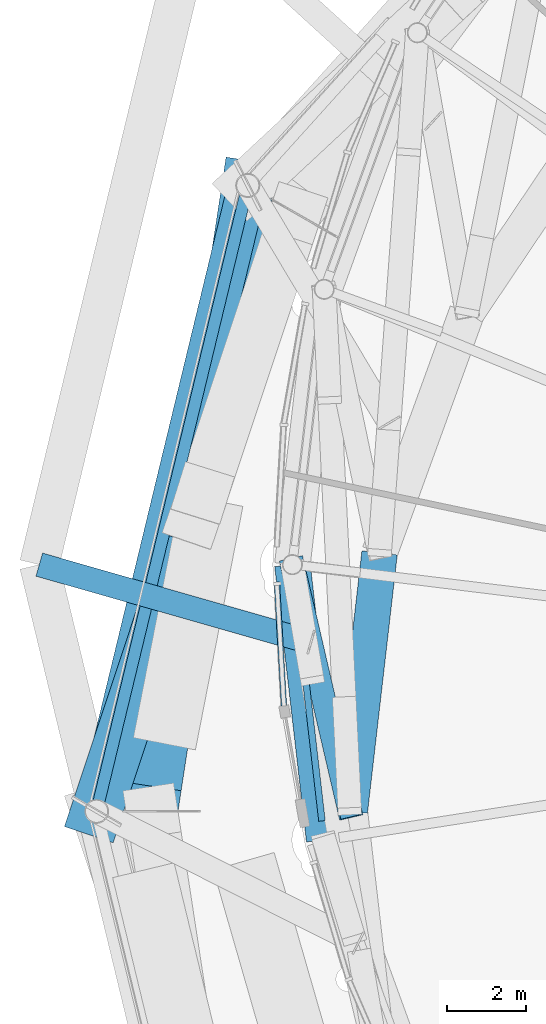
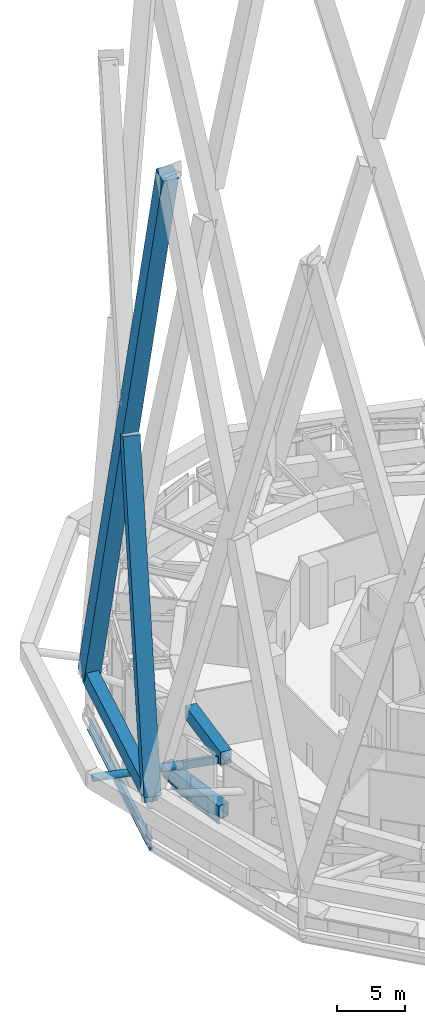
# One storey, part 14 of 48: 5 beams, 5 members, 1 element without a shape of its own.
"""IFC4 building model written with IfcOpenShell, lengths in metres."""

from ifc_helpers import new_model, si_unit, direction, frame, origin, origin_2d, place, context, subcontext, project, spatial, rectangle, hollow_rectangle, hollow_circle, i_section, extrude, material, layer, layer_set, material_profile, profile_set, type_object, element, aggregate, save


model = new_model("IFC4")

# Units and contexts
model_context = context("Model", 3, precision=1e-05, world=origin(), true_north=direction((0.0, 1.0)))
body_context = subcontext(model_context, "Body", "Model", "MODEL_VIEW")
ifc_project = project(units=[si_unit("LENGTHUNIT", "METRE"), si_unit("AREAUNIT", "SQUARE_METRE"), si_unit("VOLUMEUNIT", "CUBIC_METRE"), si_unit("PLANEANGLEUNIT", "RADIAN"), si_unit("MASSUNIT", "GRAM", prefix="KILO")], contexts=[model_context])

# Site, building, storey
site_placement = place(None, origin())
site = spatial("IfcSite", under=ifc_project, at=site_placement, CompositionType="ELEMENT")
building_placement = place(site_placement, origin())
building = spatial("IfcBuilding", under=site, at=building_placement, Name="Nagisa Residences", CompositionType="ELEMENT")
storey_placement = place(building_placement, frame((0.0, 0.0, 252.89990234375)))
storey = spatial("IfcBuildingStorey", under=building, at=storey_placement, Name="L64", CompositionType="ELEMENT", Elevation=252.89990234375)

# Beams
ifc_material_1 = material(Name="Steel ASTM A572 Gr 50", Category="steel")
ifc_material_profile_1 = material_profile(ifc_material_1, hollow_rectangle(XDim=0.89990234375, YDim=1.199951171875, WallThickness=0.0400390625, at=origin_2d()), Name="BX 900x1200x40")
ifc_profile_set_1 = profile_set([ifc_material_profile_1], Name="Steel ASTM A572 Gr 50")
beam_type_1 = type_object("IfcBeamType", Name="Belt chord 5 BX 900x1200x40", PredefinedType="BEAM", material=ifc_profile_set_1)
beam_1_placement = place(storey_placement, frame((-23.166259765625, 3.414794921875, 4.739990234375), z_axis=(-0.114611425134, -0.993410399195, 0.0), x_axis=(0.993410399195, -0.114611425134, 0.0)))
element("IfcBeam", 1, at=beam_1_placement, inside=storey, type_object=beam_type_1, Name="beam:L64:bt5t12", PredefinedType="BEAM", context=body_context, shape_type="SweptSolid", body=[
    extrude(hollow_rectangle(XDim=0.89990234375, YDim=1.199951171875, WallThickness=0.0400390625, at=origin_2d()), origin(), (0.0, 0.0, 1.0), 6.57568359375),
])
beam_2_placement = place(storey_placement, frame((-25.3701171875, 3.11767578125, 0.60009765625), z_axis=(0.114649239058, -0.99340603581, 0.0), x_axis=(0.99340603581, 0.114649239058, 0.0)))
element("IfcBeam", 2, at=beam_2_placement, inside=storey, type_object=beam_type_1, Name="beam:L64:bt5b13", PredefinedType="BEAM", context=body_context, shape_type="SweptSolid", body=[
    extrude(hollow_rectangle(XDim=0.89990234375, YDim=1.199951171875, WallThickness=0.0400390625, at=origin_2d()), origin(), (0.0, 0.0, 1.0), 7.005859375),
])
ifc_material_2 = material(Name="Steel ASTM A572 Gr 50", Category="steel")
ifc_material_profile_2 = material_profile(ifc_material_2, hollow_rectangle(XDim=0.60009765625, YDim=0.60009765625, WallThickness=0.034912109375, at=origin_2d()), Name="BX 600x600x35")
ifc_profile_set_2 = profile_set([ifc_material_profile_2], Name="Steel ASTM A572 Gr 50")
beam_type_2 = type_object("IfcBeamType", Name="Belt diagonal 5 BX 600x600x35", PredefinedType="BEAM", material=ifc_profile_set_2)
beam_3_placement = place(storey_placement, frame((-25.3701171875, 3.11767578125, 0.60009765625), z_axis=(0.190221024109, -0.817886356184, 0.54302658347), x_axis=(0.974004113459, 0.226530322394, 0.0)))
element("IfcBeam", 3, at=beam_3_placement, inside=storey, type_object=beam_type_2, Name="beam:L64:bt5da13", PredefinedType="BEAM", context=body_context, shape_type="SweptSolid", body=[
    extrude(hollow_rectangle(XDim=0.60009765625, YDim=0.60009765625, WallThickness=0.034912109375, at=origin_2d()), origin(), (0.0, 0.0, 1.0), 7.623779296875),
])

# Curtain wall, member
ifc_material_3 = material(Name="Aluminium curtain wall system", Category="aluminium")
ifc_layer = layer(ifc_material_3, 0.159912109375)
ifc_layer_set = layer_set([ifc_layer], Name="CW2 CURTAIN WALL")
curtain_wall_type = type_object("IfcCurtainWallType", Name="CW2 CURTAIN WALL", PredefinedType="NOTDEFINED", material=ifc_layer_set)
curtain_wall_placement = place(storey_placement, origin())
curtain_wall = element("IfcCurtainWall", 4, at=curtain_wall_placement, inside=storey, type_object=curtain_wall_type, Name="cw:CW2:L64:24", PredefinedType="NOTDEFINED")
ifc_material_4 = material(Name="Aluminium", Category="aluminium")
ifc_material_profile_3 = material_profile(ifc_material_4, rectangle(XDim=0.139892578125, YDim=0.179931640625, at=origin_2d()), Name="CW2 TRANSOM 140x180")
ifc_profile_set_3 = profile_set([ifc_material_profile_3], Name="Aluminium")
member_type_1 = type_object("IfcMemberType", Name="CW2 TRANSOM 140x180", PredefinedType="USERDEFINED", material=ifc_profile_set_3)
member_1_placement = place(storey_placement, frame((-25.76416015625, 2.673095703125, 0.090087890625), z_axis=(0.057465020502, -0.998347520365, 0.0), x_axis=(0.998347520365, 0.057465020502, 0.0)))
member_1 = element("IfcMember", 5, at=member_1_placement, type_object=member_type_1, Name="CW2 transom", ObjectType="TRANSOM", PredefinedType="USERDEFINED", context=body_context, shape_type="SweptSolid", body=[
    extrude(rectangle(XDim=0.139892578125, YDim=0.179931640625, at=origin_2d()), origin(), (0.0, 0.0, 1.0), 3.131103515625),
])
aggregate(curtain_wall, [member_1])

# Members
ifc_material_5 = material(Name="Concrete C80", Category="concrete")
ifc_material_profile_4 = material_profile(ifc_material_5, rectangle(XDim=1.300048828125, YDim=1.300048828125, at=origin_2d()), Name="C80 1300x1300")
ifc_profile_set_4 = profile_set([ifc_material_profile_4], Name="Concrete C80")
member_type_2 = type_object("IfcMemberType", Name="Cage diagonal 6 C80 1300x1300", PredefinedType="BRACE", material=ifc_profile_set_4)
member_2_placement = place(storey_placement, frame((-26.4990234375, 12.702392578125, 3.7001953125), z_axis=(-0.041842501274, -0.273432053256, 0.960980810079), x_axis=(0.988493066519, -0.151266180768, 0.0)))
element("IfcMember", 6, at=member_2_placement, inside=storey, type_object=member_type_2, Name="mem:L64:cg6d011", PredefinedType="BRACE", context=body_context, shape_type="SweptSolid", body=[
    extrude(rectangle(XDim=1.300048828125, YDim=1.300048828125, at=origin_2d()), origin(), (0.0, 0.0, 1.0), 57.857421875),
])
member_3_placement = place(storey_placement, frame((-30.320068359375, -3.11767578125, 3.7001953125), z_axis=(0.087023576186, 0.261414967389, 0.96129553833), x_axis=(-0.948808165822, 0.315852915881, 0.0)))
element("IfcMember", 7, at=member_3_placement, inside=storey, type_object=member_type_2, Name="mem:L64:cg6d012a", PredefinedType="BRACE", context=body_context, shape_type="SweptSolid", body=[
    extrude(rectangle(XDim=1.300048828125, YDim=1.300048828125, at=origin_2d()), origin(), (0.0, 0.0, 1.0), 28.36865234375),
])
ifc_material_6 = material(Name="Concrete C80", Category="concrete")
ifc_material_profile_5 = material_profile(ifc_material_6, rectangle(XDim=1.0, YDim=1.39990234375, at=origin_2d()), Name="C80 1000x1400")
ifc_profile_set_5 = profile_set([ifc_material_profile_5], Name="Concrete C80")
member_type_3 = type_object("IfcMemberType", Name="Cage ring 6 C80 1000x1400", PredefinedType="CHORD", material=ifc_profile_set_5)
member_4_placement = place(storey_placement, frame((-26.4990234375, 12.702392578125, 3.7001953125), z_axis=(-0.23478032632, -0.972048454745, 0.0), x_axis=(0.972048454745, -0.23478032632, 0.0)))
element("IfcMember", 8, at=member_4_placement, inside=storey, type_object=member_type_3, Name="beam:L64:cg6r006", PredefinedType="CHORD", context=body_context, shape_type="SweptSolid", body=[
    extrude(rectangle(XDim=1.0, YDim=1.39990234375, at=origin_2d()), origin(), (0.0, 0.0, 1.0), 16.27490234375),
])
ifc_material_7 = material(Name="Steel ASTM A572 Gr 65", Category="steel")
ifc_material_profile_6 = material_profile(ifc_material_7, hollow_circle(Radius=0.304931640625, WallThickness=0.02490234375, at=origin_2d()), Name="CHS 610x25")
ifc_profile_set_6 = profile_set([ifc_material_profile_6], Name="Steel ASTM A572 Gr 65")
member_type_4 = type_object("IfcMemberType", Name="Cage strut CHS 610x25", PredefinedType="STRUT", material=ifc_profile_set_6)
member_5_placement = place(storey_placement, frame((-31.77001953125, 3.11767578125, 1.900146484375), z_axis=(0.96154720451, -0.274639715808, 0.0), x_axis=(0.274639715808, 0.96154720451, 0.0)))
element("IfcMember", 9, at=member_5_placement, inside=storey, type_object=member_type_4, Name="mem:L64:bt5st5a07", PredefinedType="STRUT", context=body_context, shape_type="SweptSolid", body=[
    extrude(hollow_circle(Radius=0.304931640625, WallThickness=0.02490234375, at=origin_2d()), origin(), (0.0, 0.0, 1.0), 7.12939453125),
])

# Beams
ifc_material_8 = material(Name="Steel ASTM A572 Gr 50", Category="steel")
ifc_material_profile_7 = material_profile(ifc_material_8, i_section(OverallWidth=0.300048828125, OverallDepth=0.97998046875, WebThickness=0.0166015625, FlangeThickness=0.02587890625, at=origin_2d()), Name="W1000x249")
ifc_profile_set_7 = profile_set([ifc_material_profile_7], Name="Steel ASTM A572 Gr 50")
beam_type_3 = type_object("IfcBeamType", Name="Deck edge beam W1000x249", PredefinedType="BEAM", material=ifc_profile_set_7)
beam_4_placement = place(storey_placement, frame((-26.4990234375, 12.702392578125, -0.889892578125), z_axis=(-0.23478032632, -0.972048454745, 0.0), x_axis=(0.972048454745, -0.23478032632, 0.0)))
element("IfcBeam", 10, at=beam_4_placement, inside=storey, type_object=beam_type_3, Name="beam:L64:deckedge04", PredefinedType="BEAM", context=body_context, shape_type="SweptSolid", body=[
    extrude(i_section(OverallWidth=0.300048828125, OverallDepth=0.97998046875, WebThickness=0.0166015625, FlangeThickness=0.02587890625, at=origin_2d()), origin(), (0.0, 0.0, 1.0), 16.27490234375),
])
ifc_material_9 = material(Name="Steel ASTM A572 Gr 50", Category="steel")
ifc_material_profile_8 = material_profile(ifc_material_9, i_section(OverallWidth=0.166015625, OverallDepth=0.534912109375, WebThickness=0.01025390625, FlangeThickness=0.0166015625, at=origin_2d()), Name="W530x85")
ifc_profile_set_8 = profile_set([ifc_material_profile_8], Name="Steel ASTM A572 Gr 50")
beam_type_4 = type_object("IfcBeamType", Name="Perimeter ring beam W530x85", PredefinedType="BEAM", material=ifc_profile_set_8)
beam_5_placement = place(storey_placement, frame((-25.314697265625, 2.637451171875, -0.617431640625), z_axis=(0.114650193512, -0.993405925656, 0.0), x_axis=(0.993405925656, 0.114650193512, 0.0)))
element("IfcBeam", 11, at=beam_5_placement, inside=storey, type_object=beam_type_4, Name="beam:L64:pb13", PredefinedType="BEAM", context=body_context, shape_type="SweptSolid", body=[
    extrude(i_section(OverallWidth=0.166015625, OverallDepth=0.534912109375, WebThickness=0.01025390625, FlangeThickness=0.0166015625, at=origin_2d()), origin(), (0.0, 0.0, 1.0), 6.0390625),
])

save(model, "model.ifc")
